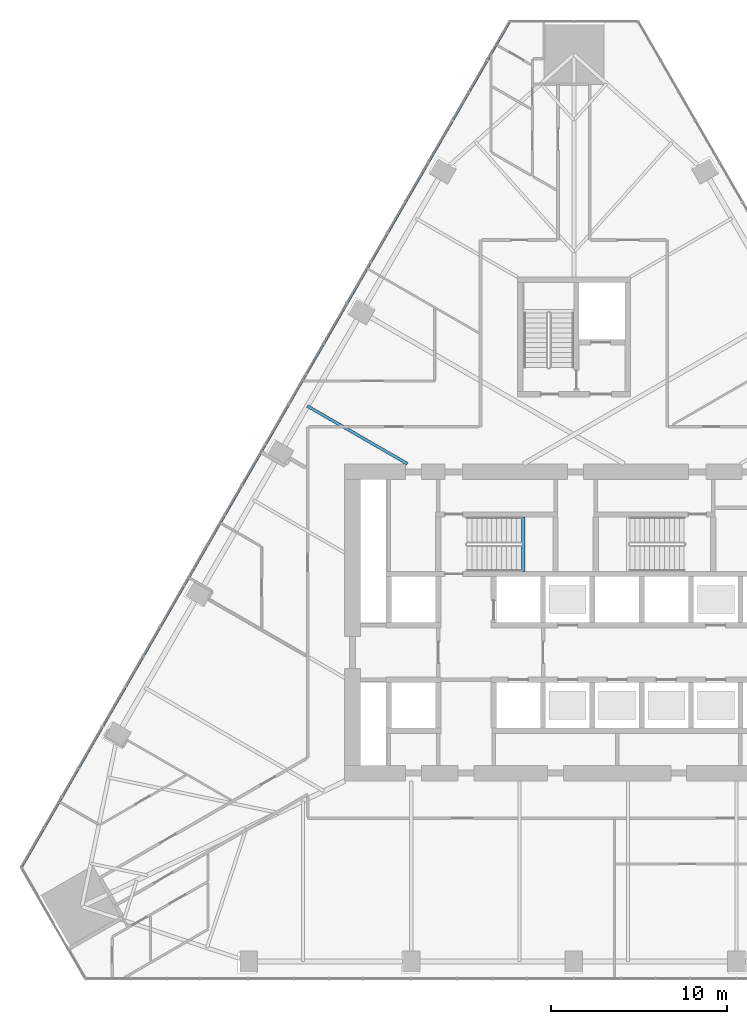
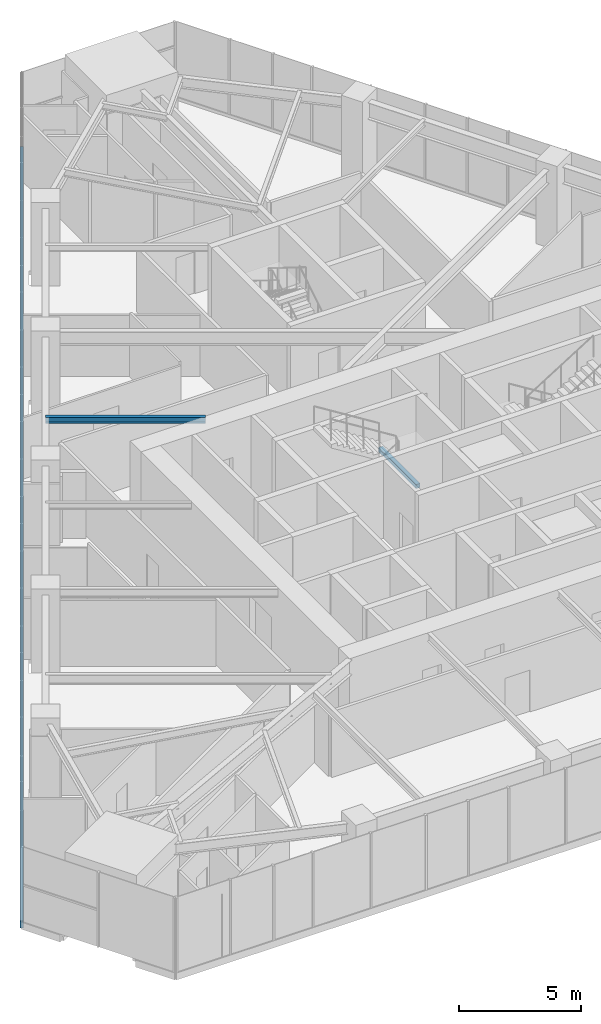
# One storey, part 5 of 19: 2 beams, 1 member, 1 element without a shape of its own.
"""IFC4 building model written with IfcOpenShell, lengths in metres."""

from ifc_helpers import new_model, si_unit, direction, frame, origin, origin_2d, place, context, subcontext, project, spatial, rectangle, i_section, extrude, material, layer, layer_set, material_profile, profile_set, type_object, element, aggregate, save


model = new_model("IFC4")

# Units and contexts
model_context = context("Model", 3, precision=1e-05, world=origin(), true_north=direction((0.0, 1.0)))
body_context = subcontext(model_context, "Body", "Model", "MODEL_VIEW")
ifc_project = project(units=[si_unit("LENGTHUNIT", "METRE"), si_unit("AREAUNIT", "SQUARE_METRE"), si_unit("VOLUMEUNIT", "CUBIC_METRE"), si_unit("PLANEANGLEUNIT", "RADIAN"), si_unit("MASSUNIT", "GRAM", prefix="KILO")], contexts=[model_context])

# Site, building, storey
site_placement = place(None, origin())
site = spatial("IfcSite", under=ifc_project, at=site_placement, CompositionType="ELEMENT")
building_placement = place(site_placement, origin())
building = spatial("IfcBuilding", under=site, at=building_placement, Name="Firuza Gate Tower and Library", CompositionType="ELEMENT")
storey_placement = place(building_placement, frame((0.0, 0.0, 136.60009765625)))
storey = spatial("IfcBuildingStorey", under=building, at=storey_placement, Name="L31", CompositionType="ELEMENT", Elevation=136.60009765625)

# Curtain wall, member
ifc_material_1 = material(Name="Aluminium 6063-T6", Category="aluminium")
ifc_layer = layer(ifc_material_1, 0.14990234375)
ifc_layer_set = layer_set([ifc_layer], Name="Unitised curtain wall, offices")
curtain_wall_type = type_object("IfcCurtainWallType", Name="Unitised curtain wall, offices", PredefinedType="NOTDEFINED", material=ifc_layer_set)
curtain_wall_placement = place(storey_placement, origin())
curtain_wall = element("IfcCurtainWall", 1, at=curtain_wall_placement, inside=storey, type_object=curtain_wall_type, Name="CW1 L31 W face", PredefinedType="NOTDEFINED")
ifc_material_2 = material(Name="Aluminium 6063-T6", Category="aluminium")
ifc_material_profile_1 = material_profile(ifc_material_2, rectangle(XDim=0.14990234375, YDim=0.35009765625, at=origin_2d()))
ifc_profile_set_1 = profile_set([ifc_material_profile_1], Name="Aluminium 6063-T6")
member_type = type_object("IfcMemberType", Name="Curtain wall transom 350x150", PredefinedType="USERDEFINED", material=ifc_profile_set_1)
member_placement = place(storey_placement, frame((71.356689453125, 109.103271484375, -0.025146484375), z_axis=(-0.499999655184, -0.866025602864, 0.0), x_axis=(0.866025602864, -0.499999655184, 0.0)))
member = element("IfcMember", 2, at=member_placement, type_object=member_type, Name="Transom", ObjectType="TRANSOM", PredefinedType="USERDEFINED", context=body_context, shape_type="SweptSolid", body=[
    extrude(rectangle(XDim=0.14990234375, YDim=0.35009765625, at=origin_2d()), origin(), (0.0, 0.0, 1.0), 55.42529296875),
])
aggregate(curtain_wall, [member])

# Beams
ifc_material_3 = material(Name="Concrete C35/45", Category="concrete")
ifc_material_profile_2 = material_profile(ifc_material_3, rectangle(XDim=0.199951171875, YDim=0.199951171875, at=origin_2d()))
ifc_profile_set_2 = profile_set([ifc_material_profile_2], Name="Concrete C35/45")
beam_type_1 = type_object("IfcBeamType", Name="Stair landing bearer 200x200", PredefinedType="BEAM", material=ifc_profile_set_2)
beam_1_placement = place(storey_placement, frame((72.1201171875, 77.89990234375, 1.7998046875), z_axis=(0.0, 1.0, 0.0), x_axis=(-1.0, 0.0, 0.0)))
element("IfcBeam", 3, at=beam_1_placement, inside=storey, type_object=beam_type_1, Name="Landing bearer L31 stair 1", PredefinedType="BEAM", context=body_context, shape_type="SweptSolid", body=[
    extrude(rectangle(XDim=0.199951171875, YDim=0.199951171875, at=origin_2d()), origin(), (0.0, 0.0, 1.0), 3.080078125),
])
ifc_material_4 = material(Name="Steel S355", Category="steel")
ifc_material_profile_3 = material_profile(ifc_material_4, i_section(OverallWidth=0.1650390625, OverallDepth=0.31005859375, WebThickness=0.005859375, FlangeThickness=0.009765625, at=origin_2d()))
ifc_profile_set_3 = profile_set([ifc_material_profile_3], Name="Steel S355")
beam_type_2 = type_object("IfcBeamType", Name="W310x39 Floor beam", PredefinedType="JOIST", material=ifc_profile_set_3)
beam_2_placement = place(storey_placement, frame((59.8818359375, 87.2783203125, 3.744873046875), z_axis=(0.866034914745, -0.499983526171, 0.0), x_axis=(0.499983526171, 0.866034914745, 0.0)))
element("IfcBeam", 4, at=beam_2_placement, inside=storey, type_object=beam_type_2, Name="Floor beam L31 s82", PredefinedType="JOIST", context=body_context, shape_type="SweptSolid", body=[
    extrude(i_section(OverallWidth=0.1650390625, OverallDepth=0.31005859375, WebThickness=0.005859375, FlangeThickness=0.009765625, at=origin_2d()), origin(), (0.0, 0.0, 1.0), 6.556884765625),
])

save(model, "model.ifc")
